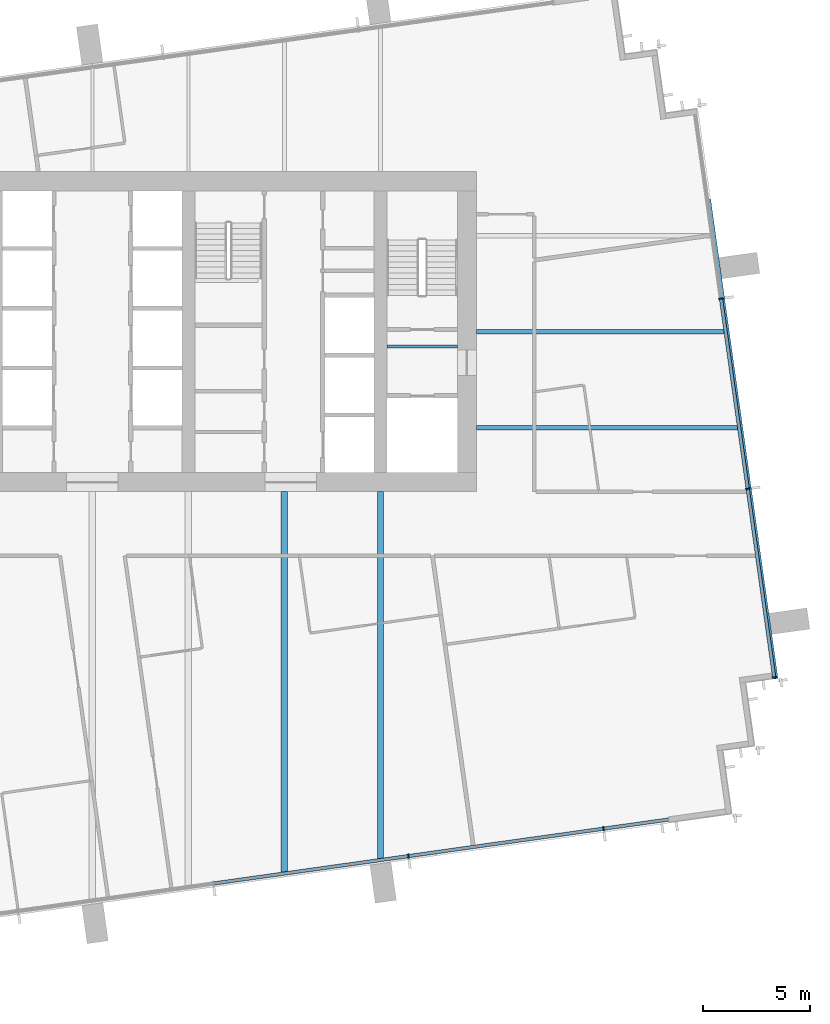
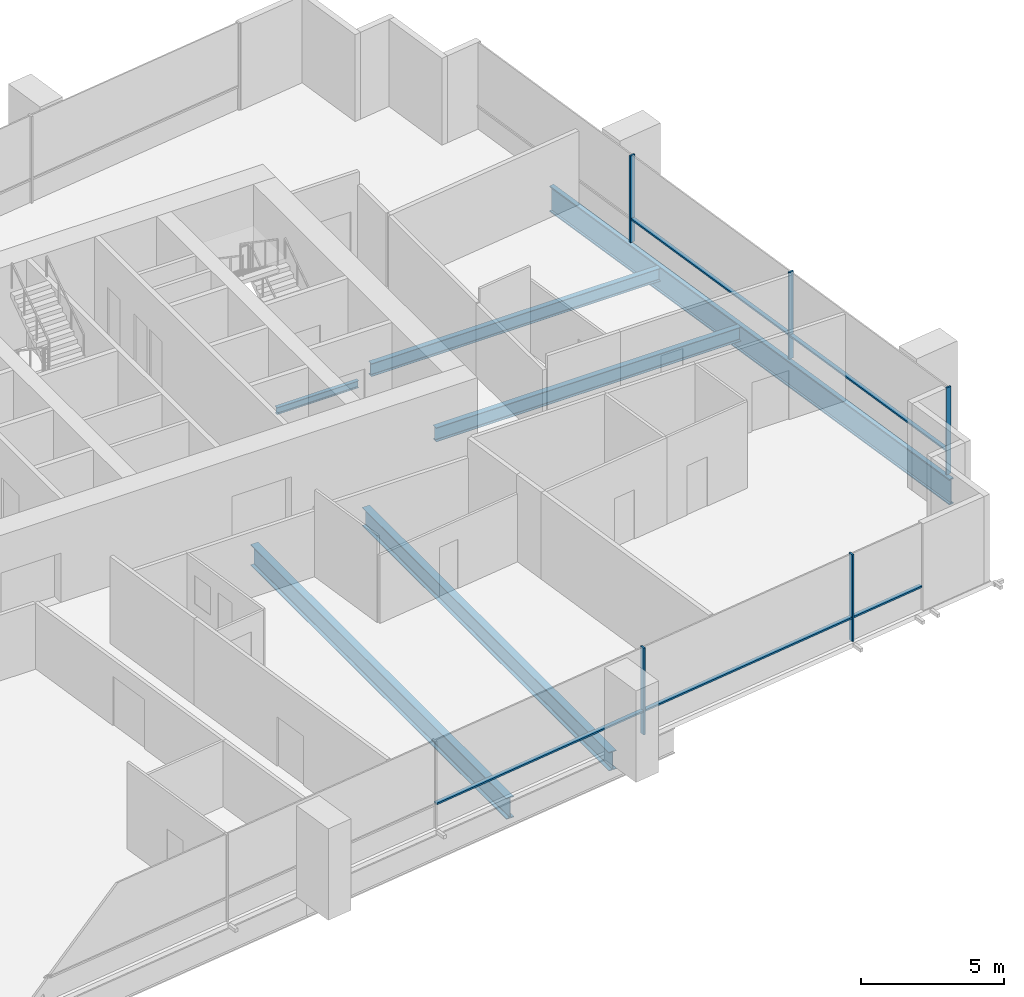
# One storey, part 5 of 14: 10 members, 6 beams, 2 elements without a shape of their own.
"""IFC4 building model written with IfcOpenShell, lengths in metres."""

from ifc_helpers import new_model, si_unit, direction, frame, origin, origin_2d, place, context, subcontext, project, spatial, rectangle, i_section, extrude, material, layer, layer_set, material_profile, profile_set, type_object, element, aggregate, save


model = new_model("IFC4")

# Units and contexts
model_context = context("Model", 3, precision=1e-05, world=origin(), true_north=direction((0.0, 1.0)))
body_context = subcontext(model_context, "Body", "Model", "MODEL_VIEW")
ifc_project = project(units=[si_unit("LENGTHUNIT", "METRE"), si_unit("AREAUNIT", "SQUARE_METRE"), si_unit("VOLUMEUNIT", "CUBIC_METRE"), si_unit("PLANEANGLEUNIT", "RADIAN"), si_unit("MASSUNIT", "GRAM", prefix="KILO")], contexts=[model_context])

# Site, building, storey
site_placement = place(None, origin())
site = spatial("IfcSite", under=ifc_project, at=site_placement, CompositionType="ELEMENT")
building_placement = place(site_placement, origin())
building = spatial("IfcBuilding", under=site, at=building_placement, Name="Rattan Terrace Tower", CompositionType="ELEMENT")
storey_placement = place(building_placement, frame((0.0, 0.0, 229.10009765625)))
storey = spatial("IfcBuildingStorey", under=building, at=storey_placement, Name="L52", CompositionType="ELEMENT", Elevation=229.10009765625)

# Beams
ifc_material_1 = material(Name="Steel S460", Category="steel")
ifc_material_profile_1 = material_profile(ifc_material_1, i_section(OverallWidth=0.179931640625, OverallDepth=1.10009765625, WebThickness=0.01611328125, FlangeThickness=0.050048828125, at=origin_2d()), Name="PG 1100x180-16-50")
ifc_profile_set_1 = profile_set([ifc_material_profile_1], Name="Steel S460")
beam_type_1 = type_object("IfcBeamType", Name="Frame edge girder PG 1100x180-16-50", PredefinedType="SPANDREL", material=ifc_profile_set_1)
beam_1_placement = place(storey_placement, frame((28.883056640625, 6.18505859375, -0.75), z_axis=(0.139138162292, -0.990272978423, 0.0), x_axis=(0.990272978423, 0.139138162292, 0.0)))
element("IfcBeam", 1, at=beam_1_placement, inside=storey, type_object=beam_type_1, Name="gdr-L52-004", PredefinedType="SPANDREL", context=body_context, shape_type="SweptSolid", body=[
    extrude(i_section(OverallWidth=0.179931640625, OverallDepth=1.10009765625, WebThickness=0.01611328125, FlangeThickness=0.050048828125, at=origin_2d()), origin(), (0.0, 0.0, 1.0), 22.66845703125),
])
ifc_material_2 = material(Name="Steel S355", Category="steel")
ifc_material_profile_2 = material_profile(ifc_material_2, i_section(OverallWidth=0.300048828125, OverallDepth=0.800048828125, WebThickness=0.017578125, FlangeThickness=0.032958984375, FilletRadius=0.030029296875, at=origin_2d()), Name="HE 800 B")
ifc_profile_set_2 = profile_set([ifc_material_profile_2], Name="Steel S355")
beam_type_2 = type_object("IfcBeamType", Name="Frame floor beam HE 800 B", PredefinedType="JOIST", material=ifc_profile_set_2)
beam_2_placement = place(storey_placement, frame((13.5, -24.72509765625, -0.60009765625), z_axis=(0.0, 1.0, 0.0), x_axis=(-1.0, 0.0, 0.0)))
element("IfcBeam", 2, at=beam_2_placement, inside=storey, type_object=beam_type_2, Name="bm-L52-008", PredefinedType="JOIST", context=body_context, shape_type="SweptSolid", body=[
    extrude(i_section(OverallWidth=0.300048828125, OverallDepth=0.800048828125, WebThickness=0.017578125, FlangeThickness=0.032958984375, FilletRadius=0.030029296875, at=origin_2d()), origin(), (0.0, 0.0, 1.0), 17.22509765625),
])
ifc_material_3 = material(Name="Steel S355", Category="steel")
ifc_material_profile_3 = material_profile(ifc_material_3, i_section(OverallWidth=0.300048828125, OverallDepth=0.89990234375, WebThickness=0.0185546875, FlangeThickness=0.034912109375, FilletRadius=0.030029296875, at=origin_2d()), Name="HE 900 B")
ifc_profile_set_3 = profile_set([ifc_material_profile_3], Name="Steel S355")
beam_type_3 = type_object("IfcBeamType", Name="Frame floor beam HE 900 B", PredefinedType="JOIST", material=ifc_profile_set_3)
beam_3_placement = place(storey_placement, frame((9.0, -25.35693359375, -0.650146484375), z_axis=(0.0, 1.0, 0.0), x_axis=(-1.0, 0.0, 0.0)))
element("IfcBeam", 3, at=beam_3_placement, inside=storey, type_object=beam_type_3, Name="bm-L52-007", PredefinedType="JOIST", context=body_context, shape_type="SweptSolid", body=[
    extrude(i_section(OverallWidth=0.300048828125, OverallDepth=0.89990234375, WebThickness=0.0185546875, FlangeThickness=0.034912109375, FilletRadius=0.030029296875, at=origin_2d()), origin(), (0.0, 0.0, 1.0), 17.85693359375),
])
ifc_material_4 = material(Name="Steel S355", Category="steel")
ifc_material_profile_4 = material_profile(ifc_material_4, i_section(OverallWidth=0.14990234375, OverallDepth=0.300048828125, WebThickness=0.007080078125, FlangeThickness=0.0107421875, FilletRadius=0.014892578125, at=origin_2d()), Name="IPE 300")
ifc_profile_set_4 = profile_set([ifc_material_profile_4], Name="Steel S355")
beam_type_4 = type_object("IfcBeamType", Name="Frame floor beam IPE 300", PredefinedType="JOIST", material=ifc_profile_set_4)
beam_4_placement = place(storey_placement, frame((13.800048828125, -0.695068359375, -0.35009765625), z_axis=(1.0, 0.0, 0.0), x_axis=(0.0, 1.0, 0.0)))
element("IfcBeam", 4, at=beam_4_placement, inside=storey, type_object=beam_type_4, Name="bm-L52-002", PredefinedType="JOIST", context=body_context, shape_type="SweptSolid", body=[
    extrude(i_section(OverallWidth=0.14990234375, OverallDepth=0.300048828125, WebThickness=0.007080078125, FlangeThickness=0.0107421875, FilletRadius=0.014892578125, at=origin_2d()), origin(), (0.0, 0.0, 1.0), 3.300048828125),
])
ifc_material_5 = material(Name="Steel S355", Category="steel")
ifc_material_profile_5 = material_profile(ifc_material_5, i_section(OverallWidth=0.2099609375, OverallDepth=0.550048828125, WebThickness=0.010986328125, FlangeThickness=0.01708984375, FilletRadius=0.02392578125, at=origin_2d()), Name="IPE 550")
ifc_profile_set_5 = profile_set([ifc_material_profile_5], Name="Steel S355")
beam_type_5 = type_object("IfcBeamType", Name="Frame floor beam IPE 550", PredefinedType="JOIST", material=ifc_profile_set_5)
beam_5_placement = place(storey_placement, frame((18.0, 0.0, -0.47509765625), z_axis=(1.0, 0.0, 0.0), x_axis=(0.0, 1.0, 0.0)))
element("IfcBeam", 5, at=beam_5_placement, inside=storey, type_object=beam_type_5, Name="bm-L52-012", PredefinedType="JOIST", context=body_context, shape_type="SweptSolid", body=[
    extrude(i_section(OverallWidth=0.2099609375, OverallDepth=0.550048828125, WebThickness=0.010986328125, FlangeThickness=0.01708984375, FilletRadius=0.02392578125, at=origin_2d()), origin(), (0.0, 0.0, 1.0), 11.64599609375),
])
ifc_material_6 = material(Name="Steel S355", Category="steel")
ifc_material_profile_6 = material_profile(ifc_material_6, i_section(OverallWidth=0.219970703125, OverallDepth=0.60009765625, WebThickness=0.011962890625, FlangeThickness=0.01904296875, FilletRadius=0.02392578125, at=origin_2d()), Name="IPE 600")
ifc_profile_set_6 = profile_set([ifc_material_profile_6], Name="Steel S355")
beam_type_6 = type_object("IfcBeamType", Name="Frame floor beam IPE 600", PredefinedType="JOIST", material=ifc_profile_set_6)
beam_6_placement = place(storey_placement, frame((18.0, -4.5, -0.5), z_axis=(1.0, 0.0, 0.0), x_axis=(0.0, 1.0, 0.0)))
element("IfcBeam", 6, at=beam_6_placement, inside=storey, type_object=beam_type_6, Name="bm-L52-010", PredefinedType="JOIST", context=body_context, shape_type="SweptSolid", body=[
    extrude(i_section(OverallWidth=0.219970703125, OverallDepth=0.60009765625, WebThickness=0.011962890625, FlangeThickness=0.01904296875, FilletRadius=0.02392578125, at=origin_2d()), origin(), (0.0, 0.0, 1.0), 12.278076171875),
])

# Curtain wall, members
ifc_material_7 = material(Name="Aluminium and laminated glass", Category="aluminium")
ifc_layer = layer(ifc_material_7, 0.199951171875)
ifc_layer_set = layer_set([ifc_layer], Name="High-Zone Unitised Curtain Wall")
curtain_wall_type = type_object("IfcCurtainWallType", Name="High-Zone Unitised Curtain Wall", PredefinedType="NOTDEFINED", material=ifc_layer_set)
curtain_wall_1_placement = place(storey_placement, origin())
curtain_wall_1 = element("IfcCurtainWall", 7, at=curtain_wall_1_placement, inside=storey, type_object=curtain_wall_type, Name="High-zone curtain wall L52-1", PredefinedType="NOTDEFINED")
ifc_material_8 = material(Name="Aluminium", Category="aluminium")
ifc_material_profile_7 = material_profile(ifc_material_8, rectangle(XDim=0.070068359375, YDim=0.199951171875, at=origin_2d()), Name="Aluminium 70x200")
ifc_profile_set_7 = profile_set([ifc_material_profile_7], Name="Aluminium")
member_type_1 = type_object("IfcMemberType", Name="High-Zone CW Mullion 70x200", PredefinedType="MULLION", material=ifc_profile_set_7)
member_1_placement = place(storey_placement, frame((31.946533203125, -16.1943359375, 0.0), z_axis=(0.0, 0.0, 1.0), x_axis=(-0.139186165309, 0.990266232579, 0.0)))
member_1 = element("IfcMember", 8, at=member_1_placement, type_object=member_type_1, Name="Mullion cwl-L52-001.1", PredefinedType="MULLION", context=body_context, shape_type="SweptSolid", body=[
    extrude(rectangle(XDim=0.070068359375, YDim=0.199951171875, at=origin_2d()), origin(), (0.0, 0.0, 1.0), 3.699951171875),
])
member_2_placement = place(storey_placement, frame((30.705078125, -7.361328125, 0.0), z_axis=(0.0, 0.0, 1.0), x_axis=(-0.139186165309, 0.990266232579, 0.0)))
member_2 = element("IfcMember", 9, at=member_2_placement, type_object=member_type_1, Name="Mullion cwl-L52-001.2", PredefinedType="MULLION", context=body_context, shape_type="SweptSolid", body=[
    extrude(rectangle(XDim=0.070068359375, YDim=0.199951171875, at=origin_2d()), origin(), (0.0, 0.0, 1.0), 3.699951171875),
])
member_3_placement = place(storey_placement, frame((29.452392578125, 1.551025390625, 0.0), z_axis=(0.0, 0.0, 1.0), x_axis=(-0.139186165309, 0.990266232579, 0.0)))
member_3 = element("IfcMember", 10, at=member_3_placement, type_object=member_type_1, Name="Mullion cwl-L52-001.3", PredefinedType="MULLION", context=body_context, shape_type="SweptSolid", body=[
    extrude(rectangle(XDim=0.070068359375, YDim=0.199951171875, at=origin_2d()), origin(), (0.0, 0.0, 1.0), 3.699951171875),
])

curtain_wall_2_placement = place(storey_placement, origin())
curtain_wall_2 = element("IfcCurtainWall", 11, at=curtain_wall_2_placement, inside=storey, type_object=curtain_wall_type, Name="High-zone curtain wall L52-4", PredefinedType="NOTDEFINED")
member_4_placement = place(storey_placement, frame((14.808837890625, -24.571533203125, 0.0), z_axis=(0.0, 0.0, 1.0), x_axis=(0.990267457022, 0.139177453499, 0.0)))
member_4 = element("IfcMember", 12, at=member_4_placement, type_object=member_type_1, Name="Mullion cwl-L52-004.4", PredefinedType="MULLION", context=body_context, shape_type="SweptSolid", body=[
    extrude(rectangle(XDim=0.070068359375, YDim=0.199951171875, at=origin_2d()), origin(), (0.0, 0.0, 1.0), 3.699951171875),
])
member_5_placement = place(storey_placement, frame((23.949951171875, -23.28662109375, 0.0), z_axis=(0.0, 0.0, 1.0), x_axis=(0.990267457022, 0.139177453499, 0.0)))
member_5 = element("IfcMember", 13, at=member_5_placement, type_object=member_type_1, Name="Mullion cwl-L52-004.5", PredefinedType="MULLION", context=body_context, shape_type="SweptSolid", body=[
    extrude(rectangle(XDim=0.070068359375, YDim=0.199951171875, at=origin_2d()), origin(), (0.0, 0.0, 1.0), 3.699951171875),
])

# Member
ifc_material_9 = material(Name="Aluminium", Category="aluminium")
ifc_material_profile_8 = material_profile(ifc_material_9, rectangle(XDim=0.159912109375, YDim=0.070068359375, at=origin_2d()), Name="Aluminium 160x70")
ifc_profile_set_8 = profile_set([ifc_material_profile_8], Name="Aluminium")
member_type_2 = type_object("IfcMemberType", Name="High-Zone CW Transom 160x70", PredefinedType="USERDEFINED", material=ifc_profile_set_8)
member_6_placement = place(storey_placement, frame((31.941650390625, -16.159912109375, 1.0), z_axis=(-0.139173253985, 0.990268047235, 0.0), x_axis=(-0.990268047235, -0.139173253985, 0.0)))
member_6 = element("IfcMember", 14, at=member_6_placement, type_object=member_type_2, Name="Transom cwl-L52-001.1", ObjectType="TRANSOM", PredefinedType="USERDEFINED", context=body_context, shape_type="SweptSolid", body=[
    extrude(rectangle(XDim=0.159912109375, YDim=0.070068359375, at=origin_2d()), origin(), (0.0, 0.0, 1.0), 8.85009765625),
])

member_7_placement = place(storey_placement, frame((30.7001953125, -7.32666015625, 1.0), z_axis=(-0.139185713085, 0.990266296141, 0.0), x_axis=(-0.990266296141, -0.139185713085, 0.0)))
member_7 = element("IfcMember", 15, at=member_7_placement, type_object=member_type_2, Name="Transom cwl-L52-001.2", ObjectType="TRANSOM", PredefinedType="USERDEFINED", context=body_context, shape_type="SweptSolid", body=[
    extrude(rectangle(XDim=0.159912109375, YDim=0.070068359375, at=origin_2d()), origin(), (0.0, 0.0, 1.0), 8.929931640625),
])

aggregate(curtain_wall_1, [member_1, member_2, member_3, member_6, member_7])

member_8_placement = place(storey_placement, frame((5.702392578125, -25.851318359375, 1.0), z_axis=(0.990265190222, 0.139193581154, 0.0), x_axis=(-0.139193581154, 0.990265190222, 0.0)))
member_8 = element("IfcMember", 16, at=member_8_placement, type_object=member_type_2, Name="Transom cwl-L52-004.3", ObjectType="TRANSOM", PredefinedType="USERDEFINED", context=body_context, shape_type="SweptSolid", body=[
    extrude(rectangle(XDim=0.159912109375, YDim=0.070068359375, at=origin_2d()), origin(), (0.0, 0.0, 1.0), 9.160888671875),
])

member_9_placement = place(storey_placement, frame((14.843505859375, -24.566650390625, 1.0), z_axis=(0.990265190222, 0.139193581154, 0.0), x_axis=(-0.139193581154, 0.990265190222, 0.0)))
member_9 = element("IfcMember", 17, at=member_9_placement, type_object=member_type_2, Name="Transom cwl-L52-004.4", ObjectType="TRANSOM", PredefinedType="USERDEFINED", context=body_context, shape_type="SweptSolid", body=[
    extrude(rectangle(XDim=0.159912109375, YDim=0.070068359375, at=origin_2d()), origin(), (0.0, 0.0, 1.0), 9.160888671875),
])

member_10_placement = place(storey_placement, frame((23.984619140625, -23.28173828125, 1.0), z_axis=(0.990269723995, 0.139161322712, 0.0), x_axis=(-0.139161322712, 0.990269723995, 0.0)))
member_10 = element("IfcMember", 18, at=member_10_placement, type_object=member_type_2, Name="Transom cwl-L52-004.5", ObjectType="TRANSOM", PredefinedType="USERDEFINED", context=body_context, shape_type="SweptSolid", body=[
    extrude(rectangle(XDim=0.159912109375, YDim=0.070068359375, at=origin_2d()), origin(), (0.0, 0.0, 1.0), 3.040283203125),
])

aggregate(curtain_wall_2, [member_4, member_5, member_8, member_9, member_10])

save(model, "model.ifc")
